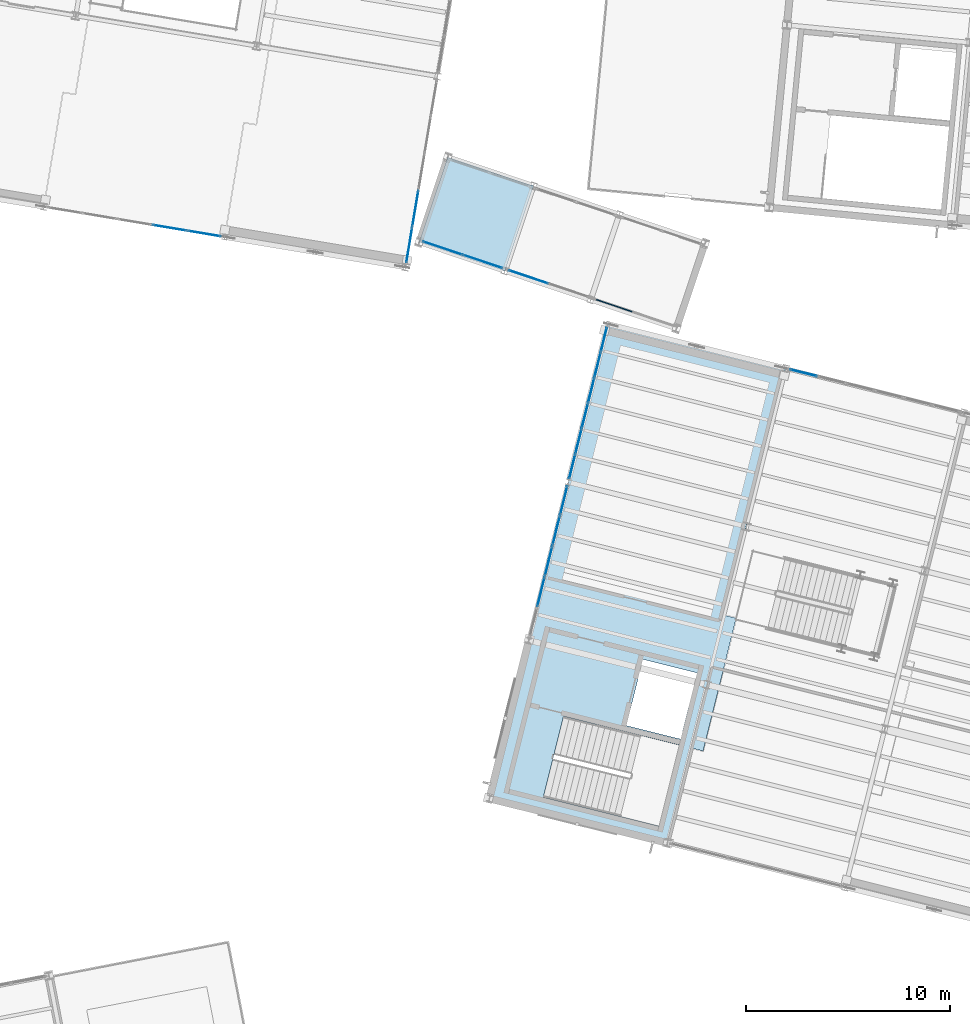
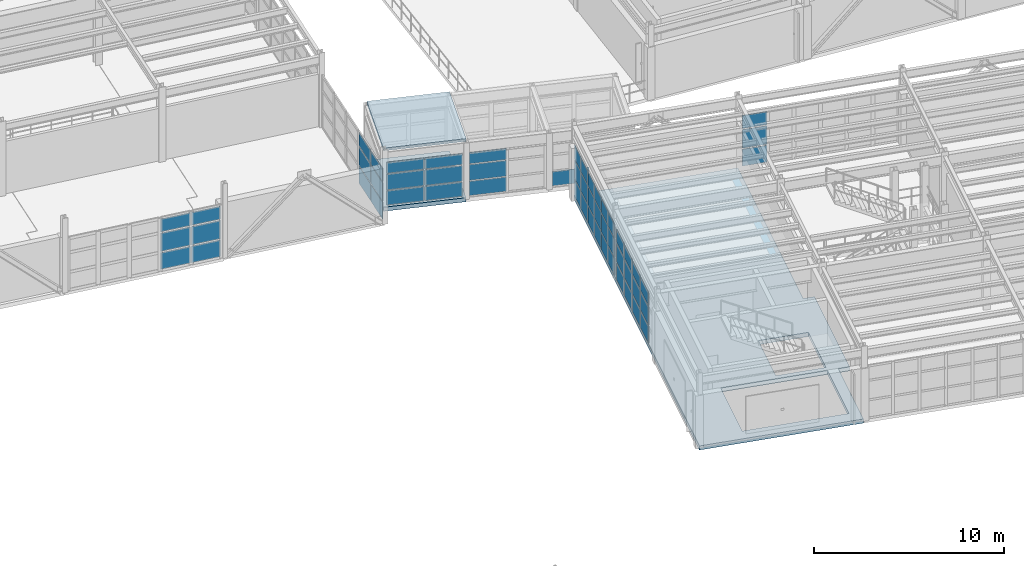
# One storey, part 61 of 102: 55 plates, 3 slabs, 8 elements without a shape of their own.
"""IFC4 building model written with IfcOpenShell, lengths in metres."""

from ifc_helpers import new_model, si_unit, direction, frame, origin, origin_2d, place, context, subcontext, project, spatial, polyline, rectangle, outline, extrude, material, layer, layer_set, type_object, element, aggregate, save


model = new_model("IFC4")

# Units and contexts
model_context = context("Model", 3, precision=1e-05, world=origin(), true_north=direction((0.0, 1.0)))
body_context = subcontext(model_context, "Body", "Model", "MODEL_VIEW")
ifc_project = project(units=[si_unit("LENGTHUNIT", "METRE"), si_unit("AREAUNIT", "SQUARE_METRE"), si_unit("VOLUMEUNIT", "CUBIC_METRE"), si_unit("PLANEANGLEUNIT", "RADIAN"), si_unit("MASSUNIT", "GRAM", prefix="KILO")], contexts=[model_context])

# Site, building, storey
site_placement = place(None, origin())
site = spatial("IfcSite", under=ifc_project, at=site_placement, CompositionType="ELEMENT")
building_placement = place(site_placement, origin())
building = spatial("IfcBuilding", under=site, at=building_placement, Name="Vireo Bluff Cable Station", CompositionType="ELEMENT")
storey_placement = place(building_placement, frame((0.0, 0.0, 9.60009765625)))
storey = spatial("IfcBuildingStorey", under=building, at=storey_placement, Name="L02", CompositionType="ELEMENT", Elevation=9.60009765625)

# Curtain wall, plates
ifc_material_1 = material(Name="Anodized Aluminium 6063-T6", Category="aluminium")
ifc_layer_1 = layer(ifc_material_1, 0.179931640625, Name="Anodized Aluminium 6063-T6")
ifc_layer_set_1 = layer_set([ifc_layer_1], Name="Anodized Aluminium 6063-T6")
curtain_wall_type_1 = type_object("IfcCurtainWallType", Name="CW-UNIT-1650", PredefinedType="USERDEFINED", material=ifc_layer_set_1)
curtain_wall_1_placement = place(storey_placement, origin())
curtain_wall_1 = element("IfcCurtainWall", 1, at=curtain_wall_1_placement, inside=storey, type_object=curtain_wall_type_1, Name="V4 L02 south curtain wall CW-095", ObjectType="UNITISED CURTAIN WALL", PredefinedType="USERDEFINED")
ifc_material_2 = material(Name="Laminated Low-E Insulated Glass", Category="glass")
ifc_layer_2 = layer(ifc_material_2, 0.028076171875, Name="Laminated Low-E Insulated Glass")
ifc_layer_set_2 = layer_set([ifc_layer_2], Name="Laminated Low-E Insulated Glass")
plate_type_1 = type_object("IfcPlateType", Name="CWP-28-1", PredefinedType="CURTAIN_PANEL", material=ifc_layer_set_2)
plate_1_placement = place(storey_placement, frame((39.99853515625, 65.72705078125, 0.080078125), z_axis=(0.0, 0.0, 1.0), x_axis=(-0.986285596217, 0.165047637655, 0.0)))
plate_1 = element("IfcPlate", 2, at=plate_1_placement, type_object=plate_type_1, Name="CW-095 panel 1.1", PredefinedType="CURTAIN_PANEL", context=body_context, shape_type="SweptSolid", body=[
    extrude(rectangle(XDim=1.62255859375, YDim=0.028076171875, at=origin_2d()), origin(), (0.0, 0.0, 1.0), 1.070068359375),
])
plate_2_placement = place(storey_placement, frame((39.99853515625, 65.72705078125, 1.22998046875), z_axis=(0.0, 0.0, 1.0), x_axis=(-0.986285596217, 0.165047637655, 0.0)))
plate_2 = element("IfcPlate", 3, at=plate_2_placement, type_object=plate_type_1, Name="CW-095 panel 1.2", PredefinedType="CURTAIN_PANEL", context=body_context, shape_type="SweptSolid", body=[
    extrude(rectangle(XDim=1.62255859375, YDim=0.028076171875, at=origin_2d()), origin(), (0.0, 0.0, 1.0), 1.177978515625),
])
plate_3_placement = place(storey_placement, frame((39.99853515625, 65.72705078125, 2.48779296875), z_axis=(0.0, 0.0, 1.0), x_axis=(-0.986285596217, 0.165047637655, 0.0)))
plate_3 = element("IfcPlate", 4, at=plate_3_placement, type_object=plate_type_1, Name="CW-095 panel 1.3", PredefinedType="CURTAIN_PANEL", context=body_context, shape_type="SweptSolid", body=[
    extrude(rectangle(XDim=1.62255859375, YDim=0.028076171875, at=origin_2d()), origin(), (0.0, 0.0, 1.0), 0.83203125),
])
plate_4_placement = place(storey_placement, frame((38.299560546875, 66.01123046875, 0.080078125), z_axis=(0.0, 0.0, 1.0), x_axis=(-0.986285596217, 0.165047637655, 0.0)))
plate_4 = element("IfcPlate", 5, at=plate_4_placement, type_object=plate_type_1, Name="CW-095 panel 2.1", PredefinedType="CURTAIN_PANEL", context=body_context, shape_type="SweptSolid", body=[
    extrude(rectangle(XDim=1.66259765625, YDim=0.028076171875, at=origin_2d()), origin(), (0.0, 0.0, 1.0), 1.070068359375),
])
plate_5_placement = place(storey_placement, frame((38.299560546875, 66.01123046875, 1.22998046875), z_axis=(0.0, 0.0, 1.0), x_axis=(-0.986285596217, 0.165047637655, 0.0)))
plate_5 = element("IfcPlate", 6, at=plate_5_placement, type_object=plate_type_1, Name="CW-095 panel 2.2", PredefinedType="CURTAIN_PANEL", context=body_context, shape_type="SweptSolid", body=[
    extrude(rectangle(XDim=1.66259765625, YDim=0.028076171875, at=origin_2d()), origin(), (0.0, 0.0, 1.0), 1.177978515625),
])
plate_6_placement = place(storey_placement, frame((38.299560546875, 66.01123046875, 2.48779296875), z_axis=(0.0, 0.0, 1.0), x_axis=(-0.986285596217, 0.165047637655, 0.0)))
plate_6 = element("IfcPlate", 7, at=plate_6_placement, type_object=plate_type_1, Name="CW-095 panel 2.3", PredefinedType="CURTAIN_PANEL", context=body_context, shape_type="SweptSolid", body=[
    extrude(rectangle(XDim=1.66259765625, YDim=0.028076171875, at=origin_2d()), origin(), (0.0, 0.0, 1.0), 0.83203125),
])
aggregate(curtain_wall_1, [plate_1, plate_2, plate_3, plate_4, plate_5, plate_6])

ifc_layer_3 = layer(ifc_material_1, 0.159912109375, Name="Anodized Aluminium 6063-T6")
ifc_layer_set_3 = layer_set([ifc_layer_3], Name="Anodized Aluminium 6063-T6")
curtain_wall_type_2 = type_object("IfcCurtainWallType", Name="CW-STICK-1850", PredefinedType="USERDEFINED", material=ifc_layer_set_3)
curtain_wall_2_placement = place(storey_placement, origin())
curtain_wall_2 = element("IfcCurtainWall", 8, at=curtain_wall_2_placement, inside=storey, type_object=curtain_wall_type_2, Name="V4 L02 east curtain wall CW-105", ObjectType="STICK CURTAIN WALL", PredefinedType="USERDEFINED")
plate_7_placement = place(storey_placement, frame((50.364501953125, 66.95166015625, 0.0751953125), z_axis=(0.0, 0.0, 1.0), x_axis=(-0.165047565064, -0.986285608364, 0.0)))
plate_7 = element("IfcPlate", 9, at=plate_7_placement, type_object=plate_type_1, Name="CW-105 panel 4.1", PredefinedType="CURTAIN_PANEL", context=body_context, shape_type="SweptSolid", body=[
    extrude(rectangle(XDim=1.758544921875, YDim=0.028076171875, at=origin_2d()), origin(), (0.0, 0.0, 1.0), 1.077392578125),
])
plate_8_placement = place(storey_placement, frame((50.364501953125, 66.95166015625, 1.227294921875), z_axis=(0.0, 0.0, 1.0), x_axis=(-0.165047565064, -0.986285608364, 0.0)))
plate_8 = element("IfcPlate", 10, at=plate_8_placement, type_object=plate_type_1, Name="CW-105 panel 4.2", PredefinedType="CURTAIN_PANEL", context=body_context, shape_type="SweptSolid", body=[
    extrude(rectangle(XDim=1.758544921875, YDim=0.028076171875, at=origin_2d()), origin(), (0.0, 0.0, 1.0), 1.18310546875),
])
plate_9_placement = place(storey_placement, frame((50.364501953125, 66.95166015625, 2.4853515625), z_axis=(0.0, 0.0, 1.0), x_axis=(-0.165047565064, -0.986285608364, 0.0)))
plate_9 = element("IfcPlate", 11, at=plate_9_placement, type_object=plate_type_1, Name="CW-105 panel 4.3", PredefinedType="CURTAIN_PANEL", context=body_context, shape_type="SweptSolid", body=[
    extrude(rectangle(XDim=1.758544921875, YDim=0.028076171875, at=origin_2d()), origin(), (0.0, 0.0, 1.0), 0.839599609375),
])
plate_10_placement = place(storey_placement, frame((50.065185546875, 65.161865234375, 0.0751953125), z_axis=(0.0, 0.0, 1.0), x_axis=(-0.165047565064, -0.986285608364, 0.0)))
plate_10 = element("IfcPlate", 12, at=plate_10_placement, type_object=plate_type_1, Name="CW-105 panel 5.1", PredefinedType="CURTAIN_PANEL", context=body_context, shape_type="SweptSolid", body=[
    extrude(rectangle(XDim=1.72119140625, YDim=0.028076171875, at=origin_2d()), origin(), (0.0, 0.0, 1.0), 1.077392578125),
])
plate_11_placement = place(storey_placement, frame((50.065185546875, 65.161865234375, 1.227294921875), z_axis=(0.0, 0.0, 1.0), x_axis=(-0.165047565064, -0.986285608364, 0.0)))
plate_11 = element("IfcPlate", 13, at=plate_11_placement, type_object=plate_type_1, Name="CW-105 panel 5.2", PredefinedType="CURTAIN_PANEL", context=body_context, shape_type="SweptSolid", body=[
    extrude(rectangle(XDim=1.72119140625, YDim=0.028076171875, at=origin_2d()), origin(), (0.0, 0.0, 1.0), 1.18310546875),
])
plate_12_placement = place(storey_placement, frame((50.065185546875, 65.161865234375, 2.4853515625), z_axis=(0.0, 0.0, 1.0), x_axis=(-0.165047565064, -0.986285608364, 0.0)))
plate_12 = element("IfcPlate", 14, at=plate_12_placement, type_object=plate_type_1, Name="CW-105 panel 5.3", PredefinedType="CURTAIN_PANEL", context=body_context, shape_type="SweptSolid", body=[
    extrude(rectangle(XDim=1.72119140625, YDim=0.028076171875, at=origin_2d()), origin(), (0.0, 0.0, 1.0), 0.839599609375),
])
aggregate(curtain_wall_2, [plate_7, plate_8, plate_9, plate_10, plate_11, plate_12])

ifc_layer_4 = layer(ifc_material_1, 0.159912109375, Name="Anodized Aluminium 6063-T6")
ifc_layer_set_4 = layer_set([ifc_layer_4], Name="Anodized Aluminium 6063-T6")
curtain_wall_type_3 = type_object("IfcCurtainWallType", Name="CW-STICK-1750", PredefinedType="USERDEFINED", material=ifc_layer_set_4)
curtain_wall_3_placement = place(storey_placement, origin())
curtain_wall_3 = element("IfcCurtainWall", 15, at=curtain_wall_3_placement, inside=storey, type_object=curtain_wall_type_3, Name="SKYBR L02 CABIN-TRANSFER-1L curtain wall CW-140", ObjectType="STICK CURTAIN WALL", PredefinedType="USERDEFINED")
plate_13_placement = place(storey_placement, frame((51.70263671875, 65.01318359375, 0.06494140625), z_axis=(0.0, 0.0, 1.0), x_axis=(0.948115110586, -0.317927251237, 0.0)))
plate_13 = element("IfcPlate", 16, at=plate_13_placement, type_object=plate_type_1, Name="CW-140 panel 1.1", PredefinedType="CURTAIN_PANEL", context=body_context, shape_type="SweptSolid", body=[
    extrude(rectangle(XDim=2.00244140625, YDim=0.028076171875, at=origin_2d()), origin(), (0.0, 0.0, 1.0), 0.910400390625),
])
plate_14_placement = place(storey_placement, frame((51.70263671875, 65.01318359375, 1.04052734375), z_axis=(0.0, 0.0, 1.0), x_axis=(0.948115110586, -0.317927251237, 0.0)))
plate_14 = element("IfcPlate", 17, at=plate_14_placement, type_object=plate_type_1, Name="CW-140 panel 1.2", PredefinedType="CURTAIN_PANEL", context=body_context, shape_type="SweptSolid", body=[
    extrude(rectangle(XDim=2.00244140625, YDim=0.028076171875, at=origin_2d()), origin(), (0.0, 0.0, 1.0), 1.00048828125),
])
plate_15_placement = place(storey_placement, frame((51.70263671875, 65.01318359375, 2.10595703125), z_axis=(0.0, 0.0, 1.0), x_axis=(0.948115110586, -0.317927251237, 0.0)))
plate_15 = element("IfcPlate", 18, at=plate_15_placement, type_object=plate_type_1, Name="CW-140 panel 1.3", PredefinedType="CURTAIN_PANEL", context=body_context, shape_type="SweptSolid", body=[
    extrude(rectangle(XDim=2.00244140625, YDim=0.028076171875, at=origin_2d()), origin(), (0.0, 0.0, 1.0), 0.708984375),
])
plate_16_placement = place(storey_placement, frame((53.662841796875, 64.35595703125, 0.06494140625), z_axis=(0.0, 0.0, 1.0), x_axis=(0.948115110586, -0.317927251237, 0.0)))
plate_16 = element("IfcPlate", 19, at=plate_16_placement, type_object=plate_type_1, Name="CW-140 panel 2.1", PredefinedType="CURTAIN_PANEL", context=body_context, shape_type="SweptSolid", body=[
    extrude(rectangle(XDim=2.00244140625, YDim=0.028076171875, at=origin_2d()), origin(), (0.0, 0.0, 1.0), 0.910400390625),
])
plate_17_placement = place(storey_placement, frame((53.662841796875, 64.35595703125, 1.04052734375), z_axis=(0.0, 0.0, 1.0), x_axis=(0.948115110586, -0.317927251237, 0.0)))
plate_17 = element("IfcPlate", 20, at=plate_17_placement, type_object=plate_type_1, Name="CW-140 panel 2.2", PredefinedType="CURTAIN_PANEL", context=body_context, shape_type="SweptSolid", body=[
    extrude(rectangle(XDim=2.00244140625, YDim=0.028076171875, at=origin_2d()), origin(), (0.0, 0.0, 1.0), 1.00048828125),
])
plate_18_placement = place(storey_placement, frame((53.662841796875, 64.35595703125, 2.10595703125), z_axis=(0.0, 0.0, 1.0), x_axis=(0.948115110586, -0.317927251237, 0.0)))
plate_18 = element("IfcPlate", 21, at=plate_18_placement, type_object=plate_type_1, Name="CW-140 panel 2.3", PredefinedType="CURTAIN_PANEL", context=body_context, shape_type="SweptSolid", body=[
    extrude(rectangle(XDim=2.00244140625, YDim=0.028076171875, at=origin_2d()), origin(), (0.0, 0.0, 1.0), 0.708984375),
])
aggregate(curtain_wall_3, [plate_13, plate_14, plate_15, plate_16, plate_17, plate_18])

curtain_wall_4_placement = place(storey_placement, origin())
curtain_wall_4 = element("IfcCurtainWall", 22, at=curtain_wall_4_placement, inside=storey, type_object=curtain_wall_type_1, Name="V1 L02 west curtain wall CW-011", ObjectType="UNITISED CURTAIN WALL", PredefinedType="USERDEFINED")
ifc_layer_5 = layer(ifc_material_2, 0.031982421875, Name="Laminated Low-E Insulated Glass")
ifc_layer_set_5 = layer_set([ifc_layer_5], Name="Laminated Low-E Insulated Glass")
plate_type_2 = type_object("IfcPlateType", Name="CWP-32-2", PredefinedType="CURTAIN_PANEL", material=ifc_layer_set_5)
plate_19_placement = place(storey_placement, frame((56.529296875, 48.144287109375, 0.080078125), z_axis=(0.0, 0.0, 1.0), x_axis=(0.241921792212, 0.970295752053, 0.0)))
plate_19 = element("IfcPlate", 23, at=plate_19_placement, type_object=plate_type_2, Name="CW-011 panel 2.1", PredefinedType="CURTAIN_PANEL", context=body_context, shape_type="SweptSolid", body=[
    extrude(rectangle(XDim=1.46728515625, YDim=0.031982421875, at=origin_2d()), origin(), (0.0, 0.0, 1.0), 1.070068359375),
])
plate_20_placement = place(storey_placement, frame((56.529296875, 48.144287109375, 1.22998046875), z_axis=(0.0, 0.0, 1.0), x_axis=(0.241921792212, 0.970295752053, 0.0)))
plate_20 = element("IfcPlate", 24, at=plate_20_placement, type_object=plate_type_2, Name="CW-011 panel 2.2", PredefinedType="CURTAIN_PANEL", context=body_context, shape_type="SweptSolid", body=[
    extrude(rectangle(XDim=1.46728515625, YDim=0.031982421875, at=origin_2d()), origin(), (0.0, 0.0, 1.0), 1.177978515625),
])
plate_21_placement = place(storey_placement, frame((56.529296875, 48.144287109375, 2.48779296875), z_axis=(0.0, 0.0, 1.0), x_axis=(0.241921792212, 0.970295752053, 0.0)))
plate_21 = element("IfcPlate", 25, at=plate_21_placement, type_object=plate_type_2, Name="CW-011 panel 2.3", PredefinedType="CURTAIN_PANEL", context=body_context, shape_type="SweptSolid", body=[
    extrude(rectangle(XDim=1.46728515625, YDim=0.031982421875, at=origin_2d()), origin(), (0.0, 0.0, 1.0), 0.83203125),
])
plate_22_placement = place(storey_placement, frame((56.903564453125, 49.6455078125, 0.080078125), z_axis=(0.0, 0.0, 1.0), x_axis=(0.241921792212, 0.970295752053, 0.0)))
plate_22 = element("IfcPlate", 26, at=plate_22_placement, type_object=plate_type_2, Name="CW-011 panel 3.1", PredefinedType="CURTAIN_PANEL", context=body_context, shape_type="SweptSolid", body=[
    extrude(rectangle(XDim=1.46728515625, YDim=0.031982421875, at=origin_2d()), origin(), (0.0, 0.0, 1.0), 1.070068359375),
])
plate_23_placement = place(storey_placement, frame((56.903564453125, 49.6455078125, 1.22998046875), z_axis=(0.0, 0.0, 1.0), x_axis=(0.241921792212, 0.970295752053, 0.0)))
plate_23 = element("IfcPlate", 27, at=plate_23_placement, type_object=plate_type_2, Name="CW-011 panel 3.2", PredefinedType="CURTAIN_PANEL", context=body_context, shape_type="SweptSolid", body=[
    extrude(rectangle(XDim=1.46728515625, YDim=0.031982421875, at=origin_2d()), origin(), (0.0, 0.0, 1.0), 1.177978515625),
])
plate_24_placement = place(storey_placement, frame((56.903564453125, 49.6455078125, 2.48779296875), z_axis=(0.0, 0.0, 1.0), x_axis=(0.241921792212, 0.970295752053, 0.0)))
plate_24 = element("IfcPlate", 28, at=plate_24_placement, type_object=plate_type_2, Name="CW-011 panel 3.3", PredefinedType="CURTAIN_PANEL", context=body_context, shape_type="SweptSolid", body=[
    extrude(rectangle(XDim=1.46728515625, YDim=0.031982421875, at=origin_2d()), origin(), (0.0, 0.0, 1.0), 0.83203125),
])
plate_25_placement = place(storey_placement, frame((57.27783203125, 51.146728515625, 0.080078125), z_axis=(0.0, 0.0, 1.0), x_axis=(0.241921792212, 0.970295752053, 0.0)))
plate_25 = element("IfcPlate", 29, at=plate_25_placement, type_object=plate_type_2, Name="CW-011 panel 4.1", PredefinedType="CURTAIN_PANEL", context=body_context, shape_type="SweptSolid", body=[
    extrude(rectangle(XDim=1.46728515625, YDim=0.031982421875, at=origin_2d()), origin(), (0.0, 0.0, 1.0), 1.070068359375),
])
plate_26_placement = place(storey_placement, frame((57.27783203125, 51.146728515625, 1.22998046875), z_axis=(0.0, 0.0, 1.0), x_axis=(0.241921792212, 0.970295752053, 0.0)))
plate_26 = element("IfcPlate", 30, at=plate_26_placement, type_object=plate_type_2, Name="CW-011 panel 4.2", PredefinedType="CURTAIN_PANEL", context=body_context, shape_type="SweptSolid", body=[
    extrude(rectangle(XDim=1.46728515625, YDim=0.031982421875, at=origin_2d()), origin(), (0.0, 0.0, 1.0), 1.177978515625),
])
plate_27_placement = place(storey_placement, frame((57.27783203125, 51.146728515625, 2.48779296875), z_axis=(0.0, 0.0, 1.0), x_axis=(0.241921792212, 0.970295752053, 0.0)))
plate_27 = element("IfcPlate", 31, at=plate_27_placement, type_object=plate_type_2, Name="CW-011 panel 4.3", PredefinedType="CURTAIN_PANEL", context=body_context, shape_type="SweptSolid", body=[
    extrude(rectangle(XDim=1.46728515625, YDim=0.031982421875, at=origin_2d()), origin(), (0.0, 0.0, 1.0), 0.83203125),
])
plate_28_placement = place(storey_placement, frame((57.647216796875, 52.628662109375, 0.080078125), z_axis=(0.0, 0.0, 1.0), x_axis=(0.241921792212, 0.970295752053, 0.0)))
plate_28 = element("IfcPlate", 32, at=plate_28_placement, type_object=plate_type_2, Name="CW-011 panel 5.1", PredefinedType="CURTAIN_PANEL", context=body_context, shape_type="SweptSolid", body=[
    extrude(rectangle(XDim=1.42724609375, YDim=0.031982421875, at=origin_2d()), origin(), (0.0, 0.0, 1.0), 1.070068359375),
])
plate_29_placement = place(storey_placement, frame((57.647216796875, 52.628662109375, 1.22998046875), z_axis=(0.0, 0.0, 1.0), x_axis=(0.241921792212, 0.970295752053, 0.0)))
plate_29 = element("IfcPlate", 33, at=plate_29_placement, type_object=plate_type_2, Name="CW-011 panel 5.2", PredefinedType="CURTAIN_PANEL", context=body_context, shape_type="SweptSolid", body=[
    extrude(rectangle(XDim=1.42724609375, YDim=0.031982421875, at=origin_2d()), origin(), (0.0, 0.0, 1.0), 1.177978515625),
])
plate_30_placement = place(storey_placement, frame((57.647216796875, 52.628662109375, 2.48779296875), z_axis=(0.0, 0.0, 1.0), x_axis=(0.241921792212, 0.970295752053, 0.0)))
plate_30 = element("IfcPlate", 34, at=plate_30_placement, type_object=plate_type_2, Name="CW-011 panel 5.3", PredefinedType="CURTAIN_PANEL", context=body_context, shape_type="SweptSolid", body=[
    extrude(rectangle(XDim=1.42724609375, YDim=0.031982421875, at=origin_2d()), origin(), (0.0, 0.0, 1.0), 0.83203125),
])
aggregate(curtain_wall_4, [plate_19, plate_20, plate_21, plate_22, plate_23, plate_24, plate_25, plate_26, plate_27, plate_28, plate_29, plate_30])

ifc_layer_6 = layer(ifc_material_1, 0.179931640625, Name="Anodized Aluminium 6063-T6")
ifc_layer_set_6 = layer_set([ifc_layer_6], Name="Anodized Aluminium 6063-T6")
curtain_wall_type_4 = type_object("IfcCurtainWallType", Name="CW-UNIT-1400", PredefinedType="USERDEFINED", material=ifc_layer_set_6)
curtain_wall_5_placement = place(storey_placement, origin())
curtain_wall_5 = element("IfcCurtainWall", 35, at=curtain_wall_5_placement, inside=storey, type_object=curtain_wall_type_4, Name="V1 L02 west curtain wall CW-012", ObjectType="UNITISED CURTAIN WALL", PredefinedType="USERDEFINED")
ifc_layer_7 = layer(ifc_material_2, 0.035888671875, Name="Laminated Low-E Insulated Glass")
ifc_layer_set_7 = layer_set([ifc_layer_7], Name="Laminated Low-E Insulated Glass")
plate_type_3 = type_object("IfcPlateType", Name="CWP-36-3", PredefinedType="CURTAIN_PANEL", material=ifc_layer_set_7)
plate_31_placement = place(storey_placement, frame((58.062255859375, 54.29248046875, 0.06494140625), z_axis=(0.0, 0.0, 1.0), x_axis=(0.241921948216, 0.970295713157, 0.0)))
plate_31 = element("IfcPlate", 36, at=plate_31_placement, type_object=plate_type_3, Name="CW-012 panel 1.1", PredefinedType="CURTAIN_PANEL", context=body_context, shape_type="SweptSolid", body=[
    extrude(rectangle(XDim=1.1923828125, YDim=0.035888671875, at=origin_2d()), origin(), (0.0, 0.0, 1.0), 1.092529296875),
])
plate_32_placement = place(storey_placement, frame((58.062255859375, 54.29248046875, 1.22216796875), z_axis=(0.0, 0.0, 1.0), x_axis=(0.241921948216, 0.970295713157, 0.0)))
plate_32 = element("IfcPlate", 37, at=plate_32_placement, type_object=plate_type_3, Name="CW-012 panel 1.2", PredefinedType="CURTAIN_PANEL", context=body_context, shape_type="SweptSolid", body=[
    extrude(rectangle(XDim=1.1923828125, YDim=0.035888671875, at=origin_2d()), origin(), (0.0, 0.0, 1.0), 1.193115234375),
])
plate_33_placement = place(storey_placement, frame((58.062255859375, 54.29248046875, 2.48046875), z_axis=(0.0, 0.0, 1.0), x_axis=(0.241921948216, 0.970295713157, 0.0)))
plate_33 = element("IfcPlate", 38, at=plate_33_placement, type_object=plate_type_3, Name="CW-012 panel 1.3", PredefinedType="CURTAIN_PANEL", context=body_context, shape_type="SweptSolid", body=[
    extrude(rectangle(XDim=1.1923828125, YDim=0.035888671875, at=origin_2d()), origin(), (0.0, 0.0, 1.0), 0.8544921875),
])
plate_34_placement = place(storey_placement, frame((58.370361328125, 55.5283203125, 0.06494140625), z_axis=(0.0, 0.0, 1.0), x_axis=(0.241921948216, 0.970295713157, 0.0)))
plate_34 = element("IfcPlate", 39, at=plate_34_placement, type_object=plate_type_3, Name="CW-012 panel 2.1", PredefinedType="CURTAIN_PANEL", context=body_context, shape_type="SweptSolid", body=[
    extrude(rectangle(XDim=1.224853515625, YDim=0.035888671875, at=origin_2d()), origin(), (0.0, 0.0, 1.0), 1.092529296875),
])
plate_35_placement = place(storey_placement, frame((58.370361328125, 55.5283203125, 1.22216796875), z_axis=(0.0, 0.0, 1.0), x_axis=(0.241921948216, 0.970295713157, 0.0)))
plate_35 = element("IfcPlate", 40, at=plate_35_placement, type_object=plate_type_3, Name="CW-012 panel 2.2", PredefinedType="CURTAIN_PANEL", context=body_context, shape_type="SweptSolid", body=[
    extrude(rectangle(XDim=1.224853515625, YDim=0.035888671875, at=origin_2d()), origin(), (0.0, 0.0, 1.0), 1.193115234375),
])
plate_36_placement = place(storey_placement, frame((58.370361328125, 55.5283203125, 2.48046875), z_axis=(0.0, 0.0, 1.0), x_axis=(0.241921948216, 0.970295713157, 0.0)))
plate_36 = element("IfcPlate", 41, at=plate_36_placement, type_object=plate_type_3, Name="CW-012 panel 2.3", PredefinedType="CURTAIN_PANEL", context=body_context, shape_type="SweptSolid", body=[
    extrude(rectangle(XDim=1.224853515625, YDim=0.035888671875, at=origin_2d()), origin(), (0.0, 0.0, 1.0), 0.8544921875),
])
plate_37_placement = place(storey_placement, frame((58.682373046875, 56.77978515625, 0.06494140625), z_axis=(0.0, 0.0, 1.0), x_axis=(0.241921948216, 0.970295713157, 0.0)))
plate_37 = element("IfcPlate", 42, at=plate_37_placement, type_object=plate_type_3, Name="CW-012 panel 3.1", PredefinedType="CURTAIN_PANEL", context=body_context, shape_type="SweptSolid", body=[
    extrude(rectangle(XDim=1.224853515625, YDim=0.035888671875, at=origin_2d()), origin(), (0.0, 0.0, 1.0), 1.092529296875),
])
plate_38_placement = place(storey_placement, frame((58.682373046875, 56.77978515625, 1.22216796875), z_axis=(0.0, 0.0, 1.0), x_axis=(0.241921948216, 0.970295713157, 0.0)))
plate_38 = element("IfcPlate", 43, at=plate_38_placement, type_object=plate_type_3, Name="CW-012 panel 3.2", PredefinedType="CURTAIN_PANEL", context=body_context, shape_type="SweptSolid", body=[
    extrude(rectangle(XDim=1.224853515625, YDim=0.035888671875, at=origin_2d()), origin(), (0.0, 0.0, 1.0), 1.193115234375),
])
plate_39_placement = place(storey_placement, frame((58.682373046875, 56.77978515625, 2.48046875), z_axis=(0.0, 0.0, 1.0), x_axis=(0.241921948216, 0.970295713157, 0.0)))
plate_39 = element("IfcPlate", 44, at=plate_39_placement, type_object=plate_type_3, Name="CW-012 panel 3.3", PredefinedType="CURTAIN_PANEL", context=body_context, shape_type="SweptSolid", body=[
    extrude(rectangle(XDim=1.224853515625, YDim=0.035888671875, at=origin_2d()), origin(), (0.0, 0.0, 1.0), 0.8544921875),
])
plate_40_placement = place(storey_placement, frame((58.994384765625, 58.031494140625, 0.06494140625), z_axis=(0.0, 0.0, 1.0), x_axis=(0.241921948216, 0.970295713157, 0.0)))
plate_40 = element("IfcPlate", 45, at=plate_40_placement, type_object=plate_type_3, Name="CW-012 panel 4.1", PredefinedType="CURTAIN_PANEL", context=body_context, shape_type="SweptSolid", body=[
    extrude(rectangle(XDim=1.224853515625, YDim=0.035888671875, at=origin_2d()), origin(), (0.0, 0.0, 1.0), 1.092529296875),
])
plate_41_placement = place(storey_placement, frame((58.994384765625, 58.031494140625, 1.22216796875), z_axis=(0.0, 0.0, 1.0), x_axis=(0.241921948216, 0.970295713157, 0.0)))
plate_41 = element("IfcPlate", 46, at=plate_41_placement, type_object=plate_type_3, Name="CW-012 panel 4.2", PredefinedType="CURTAIN_PANEL", context=body_context, shape_type="SweptSolid", body=[
    extrude(rectangle(XDim=1.224853515625, YDim=0.035888671875, at=origin_2d()), origin(), (0.0, 0.0, 1.0), 1.193115234375),
])
plate_42_placement = place(storey_placement, frame((58.994384765625, 58.031494140625, 2.48046875), z_axis=(0.0, 0.0, 1.0), x_axis=(0.241921948216, 0.970295713157, 0.0)))
plate_42 = element("IfcPlate", 47, at=plate_42_placement, type_object=plate_type_3, Name="CW-012 panel 4.3", PredefinedType="CURTAIN_PANEL", context=body_context, shape_type="SweptSolid", body=[
    extrude(rectangle(XDim=1.224853515625, YDim=0.035888671875, at=origin_2d()), origin(), (0.0, 0.0, 1.0), 0.8544921875),
])
plate_43_placement = place(storey_placement, frame((59.306396484375, 59.282958984375, 0.06494140625), z_axis=(0.0, 0.0, 1.0), x_axis=(0.241921948216, 0.970295713157, 0.0)))
plate_43 = element("IfcPlate", 48, at=plate_43_placement, type_object=plate_type_3, Name="CW-012 panel 5.1", PredefinedType="CURTAIN_PANEL", context=body_context, shape_type="SweptSolid", body=[
    extrude(rectangle(XDim=1.224853515625, YDim=0.035888671875, at=origin_2d()), origin(), (0.0, 0.0, 1.0), 1.092529296875),
])
plate_44_placement = place(storey_placement, frame((59.306396484375, 59.282958984375, 1.22216796875), z_axis=(0.0, 0.0, 1.0), x_axis=(0.241921948216, 0.970295713157, 0.0)))
plate_44 = element("IfcPlate", 49, at=plate_44_placement, type_object=plate_type_3, Name="CW-012 panel 5.2", PredefinedType="CURTAIN_PANEL", context=body_context, shape_type="SweptSolid", body=[
    extrude(rectangle(XDim=1.224853515625, YDim=0.035888671875, at=origin_2d()), origin(), (0.0, 0.0, 1.0), 1.193115234375),
])
plate_45_placement = place(storey_placement, frame((59.306396484375, 59.282958984375, 2.48046875), z_axis=(0.0, 0.0, 1.0), x_axis=(0.241921948216, 0.970295713157, 0.0)))
plate_45 = element("IfcPlate", 50, at=plate_45_placement, type_object=plate_type_3, Name="CW-012 panel 5.3", PredefinedType="CURTAIN_PANEL", context=body_context, shape_type="SweptSolid", body=[
    extrude(rectangle(XDim=1.224853515625, YDim=0.035888671875, at=origin_2d()), origin(), (0.0, 0.0, 1.0), 0.8544921875),
])
plate_46_placement = place(storey_placement, frame((59.614501953125, 60.518798828125, 0.06494140625), z_axis=(0.0, 0.0, 1.0), x_axis=(0.241921948216, 0.970295713157, 0.0)))
plate_46 = element("IfcPlate", 51, at=plate_46_placement, type_object=plate_type_3, Name="CW-012 panel 6.1", PredefinedType="CURTAIN_PANEL", context=body_context, shape_type="SweptSolid", body=[
    extrude(rectangle(XDim=1.1923828125, YDim=0.035888671875, at=origin_2d()), origin(), (0.0, 0.0, 1.0), 1.092529296875),
])
plate_47_placement = place(storey_placement, frame((59.614501953125, 60.518798828125, 1.22216796875), z_axis=(0.0, 0.0, 1.0), x_axis=(0.241921948216, 0.970295713157, 0.0)))
plate_47 = element("IfcPlate", 52, at=plate_47_placement, type_object=plate_type_3, Name="CW-012 panel 6.2", PredefinedType="CURTAIN_PANEL", context=body_context, shape_type="SweptSolid", body=[
    extrude(rectangle(XDim=1.1923828125, YDim=0.035888671875, at=origin_2d()), origin(), (0.0, 0.0, 1.0), 1.193115234375),
])
plate_48_placement = place(storey_placement, frame((59.614501953125, 60.518798828125, 2.48046875), z_axis=(0.0, 0.0, 1.0), x_axis=(0.241921948216, 0.970295713157, 0.0)))
plate_48 = element("IfcPlate", 53, at=plate_48_placement, type_object=plate_type_3, Name="CW-012 panel 6.3", PredefinedType="CURTAIN_PANEL", context=body_context, shape_type="SweptSolid", body=[
    extrude(rectangle(XDim=1.1923828125, YDim=0.035888671875, at=origin_2d()), origin(), (0.0, 0.0, 1.0), 0.8544921875),
])
aggregate(curtain_wall_5, [plate_31, plate_32, plate_33, plate_34, plate_35, plate_36, plate_37, plate_38, plate_39, plate_40, plate_41, plate_42, plate_43, plate_44, plate_45, plate_46, plate_47, plate_48])

curtain_wall_6_placement = place(storey_placement, origin())
curtain_wall_6 = element("IfcCurtainWall", 54, at=curtain_wall_6_placement, inside=storey, type_object=curtain_wall_type_3, Name="SKYBR L02 CABIN-TRANSFER-2L curtain wall CW-142", ObjectType="STICK CURTAIN WALL", PredefinedType="USERDEFINED")
plate_49_placement = place(storey_placement, frame((55.911376953125, 63.601806640625, 0.059814453125), z_axis=(0.0, 0.0, 1.0), x_axis=(0.948110513275, -0.317940960899, 0.0)))
plate_49 = element("IfcPlate", 55, at=plate_49_placement, type_object=plate_type_3, Name="CW-142 panel 1.1", PredefinedType="CURTAIN_PANEL", context=body_context, shape_type="SweptSolid", body=[
    extrude(rectangle(XDim=2.0107421875, YDim=0.035888671875, at=origin_2d()), origin(), (0.0, 0.0, 1.0), 0.91796875),
])
plate_50_placement = place(storey_placement, frame((55.911376953125, 63.601806640625, 1.0380859375), z_axis=(0.0, 0.0, 1.0), x_axis=(0.948110513275, -0.317940960899, 0.0)))
plate_50 = element("IfcPlate", 56, at=plate_50_placement, type_object=plate_type_3, Name="CW-142 panel 1.2", PredefinedType="CURTAIN_PANEL", context=body_context, shape_type="SweptSolid", body=[
    extrude(rectangle(XDim=2.0107421875, YDim=0.035888671875, at=origin_2d()), origin(), (0.0, 0.0, 1.0), 1.005615234375),
])
plate_51_placement = place(storey_placement, frame((55.911376953125, 63.601806640625, 2.103515625), z_axis=(0.0, 0.0, 1.0), x_axis=(0.948110513275, -0.317940960899, 0.0)))
plate_51 = element("IfcPlate", 57, at=plate_51_placement, type_object=plate_type_3, Name="CW-142 panel 1.3", PredefinedType="CURTAIN_PANEL", context=body_context, shape_type="SweptSolid", body=[
    extrude(rectangle(XDim=2.0107421875, YDim=0.035888671875, at=origin_2d()), origin(), (0.0, 0.0, 1.0), 0.71630859375),
])
aggregate(curtain_wall_6, [plate_49, plate_50, plate_51])

ifc_layer_8 = layer(ifc_material_1, 0.179931640625, Name="Anodized Aluminium 6063-T6")
ifc_layer_set_8 = layer_set([ifc_layer_8], Name="Anodized Aluminium 6063-T6")
curtain_wall_type_5 = type_object("IfcCurtainWallType", Name="CW-UNIT-1500", PredefinedType="USERDEFINED", material=ifc_layer_set_8)
curtain_wall_7_placement = place(storey_placement, origin())
curtain_wall_7 = element("IfcCurtainWall", 58, at=curtain_wall_7_placement, inside=storey, type_object=curtain_wall_type_5, Name="V1 L02 north curtain wall CW-013", ObjectType="UNITISED CURTAIN WALL", PredefinedType="USERDEFINED")
ifc_material_3 = material(Name="Insulated Spandrel Glass Panel", Category="glass")
ifc_layer_9 = layer(ifc_material_3, 0.0419921875, Name="Insulated Spandrel Glass Panel")
ifc_layer_set_9 = layer_set([ifc_layer_9], Name="Insulated Spandrel Glass Panel")
plate_type_4 = type_object("IfcPlateType", Name="CWP-42-4", PredefinedType="CURTAIN_PANEL", material=ifc_layer_set_9)
plate_52_placement = place(storey_placement, frame((69.412841796875, 58.891845703125, 0.0751953125), z_axis=(0.0, 0.0, 1.0), x_axis=(0.970295722805, -0.24192190952, 0.0)))
plate_52 = element("IfcPlate", 59, at=plate_52_placement, type_object=plate_type_4, Name="CW-013 panel 1.1", PredefinedType="CURTAIN_PANEL", context=body_context, shape_type="SweptSolid", body=[
    extrude(rectangle(XDim=1.334716796875, YDim=0.0419921875, at=origin_2d()), origin(), (0.0, 0.0, 1.0), 1.077392578125),
])
plate_53_placement = place(storey_placement, frame((69.412841796875, 58.891845703125, 1.227294921875), z_axis=(0.0, 0.0, 1.0), x_axis=(0.970295722805, -0.24192190952, 0.0)))
plate_53 = element("IfcPlate", 60, at=plate_53_placement, type_object=plate_type_4, Name="CW-013 panel 1.2", PredefinedType="CURTAIN_PANEL", context=body_context, shape_type="SweptSolid", body=[
    extrude(rectangle(XDim=1.334716796875, YDim=0.0419921875, at=origin_2d()), origin(), (0.0, 0.0, 1.0), 1.18310546875),
])
plate_54_placement = place(storey_placement, frame((69.412841796875, 58.891845703125, 2.4853515625), z_axis=(0.0, 0.0, 1.0), x_axis=(0.970295722805, -0.24192190952, 0.0)))
plate_54 = element("IfcPlate", 61, at=plate_54_placement, type_object=plate_type_4, Name="CW-013 panel 1.3", PredefinedType="CURTAIN_PANEL", context=body_context, shape_type="SweptSolid", body=[
    extrude(rectangle(XDim=1.334716796875, YDim=0.0419921875, at=origin_2d()), origin(), (0.0, 0.0, 1.0), 0.839599609375),
])
aggregate(curtain_wall_7, [plate_52, plate_53, plate_54])

# Curtain wall, plate
curtain_wall_8_placement = place(storey_placement, origin())
curtain_wall_8 = element("IfcCurtainWall", 62, at=curtain_wall_8_placement, inside=storey, type_object=curtain_wall_type_3, Name="SKYBR L02 CABIN-TRANSFER-3L curtain wall CW-144", ObjectType="STICK CURTAIN WALL", PredefinedType="USERDEFINED")
ifc_layer_10 = layer(ifc_material_3, 0.048095703125, Name="Insulated Spandrel Glass Panel")
ifc_layer_set_10 = layer_set([ifc_layer_10], Name="Insulated Spandrel Glass Panel")
plate_type_5 = type_object("IfcPlateType", Name="CWP-48-5", PredefinedType="CURTAIN_PANEL", material=ifc_layer_set_10)
plate_55_placement = place(storey_placement, frame((60.123046875, 62.189208984375, 0.06494140625), z_axis=(0.0, 0.0, 1.0), x_axis=(0.9481127039, -0.317934428309, 0.0)))
plate_55 = element("IfcPlate", 63, at=plate_55_placement, type_object=plate_type_5, Name="CW-144 panel 1.1", PredefinedType="CURTAIN_PANEL", context=body_context, shape_type="SweptSolid", body=[
    extrude(rectangle(XDim=2.00244140625, YDim=0.048095703125, at=origin_2d()), origin(), (0.0, 0.0, 1.0), 0.910400390625),
])
aggregate(curtain_wall_8, [plate_55])

# Slabs
ifc_material_4 = material(Name="Concrete f'c 40 MPa", Category="concrete")
ifc_layer_11 = layer(ifc_material_4, 0.260009765625, Name="Concrete f'c 40 MPa")
ifc_layer_set_11 = layer_set([ifc_layer_11], Name="Concrete f'c 40 MPa")
slab_type_1 = type_object("IfcSlabType", Name="FLOORSLAB-260", PredefinedType="FLOOR", material=ifc_layer_set_11)
slab_1_placement = place(storey_placement, frame((0.0, 0.0, -0.260009765625)))
element("IfcSlab", 64, at=slab_1_placement, inside=storey, type_object=slab_type_1, Name="V1 L02 floor slab bay 1", PredefinedType="FLOOR", context=body_context, shape_type="SweptSolid", body=[
    extrude(outline(polyline([(54.0, 38.0), (62.722900390625, 35.8251953125), (63.88427734375, 40.482421875), (64.48583984375, 40.33251953125), (66.111572265625, 46.85302734375), (65.510009765625, 47.0029296875), (68.529052734375, 59.1123046875), (59.80615234375, 61.287109375), (54.0, 38.0)]), holes=[polyline([(56.64453125, 38.06298828125), (57.635986328125, 42.03955078125), (63.310791015625, 40.624755859375), (62.3193359375, 36.64794921875), (56.64453125, 38.06298828125)]), polyline([(60.717041015625, 41.582275390625), (61.527099609375, 44.8310546875), (64.19384765625, 44.166259765625), (63.3837890625, 40.917236328125), (60.717041015625, 41.582275390625)])]), origin(), (0.0, 0.0, 1.0), 0.260009765625),
])
slab_2_placement = place(storey_placement, frame((0.0, 0.0, -0.260009765625)))
element("IfcSlab", 65, at=slab_2_placement, inside=storey, type_object=slab_type_1, Name="CABIN-TRANSFER enclosed skybridge floor slab 1", PredefinedType="FLOOR", context=body_context, shape_type="SweptSolid", body=[
    extrude(outline(polyline([(50.550048828125, 65.306884765625), (54.759521484375, 63.895263671875), (56.15869140625, 68.06689453125), (51.948974609375, 69.478515625), (50.550048828125, 65.306884765625)])), origin(), (0.0, 0.0, 1.0), 0.260009765625),
])
ifc_layer_12 = layer(ifc_material_4, 0.169921875, Name="Concrete f'c 40 MPa")
ifc_layer_set_12 = layer_set([ifc_layer_12], Name="Concrete f'c 40 MPa")
slab_type_2 = type_object("IfcSlabType", Name="ROOFSLAB-170-3", PredefinedType="ROOF", material=ifc_layer_set_12)
slab_3_placement = place(storey_placement, frame((0.0, 0.0, 3.6298828125)))
element("IfcSlab", 66, at=slab_3_placement, inside=storey, type_object=slab_type_2, Name="CABIN-TRANSFER enclosed skybridge roof slab 1", PredefinedType="ROOF", context=body_context, shape_type="SweptSolid", body=[
    extrude(outline(polyline([(50.550048828125, 65.306884765625), (54.759521484375, 63.895263671875), (56.15869140625, 68.06689453125), (51.948974609375, 69.478515625), (50.550048828125, 65.306884765625)])), origin(), (0.0, 0.0, 1.0), 0.169921875),
])

save(model, "model.ifc")
